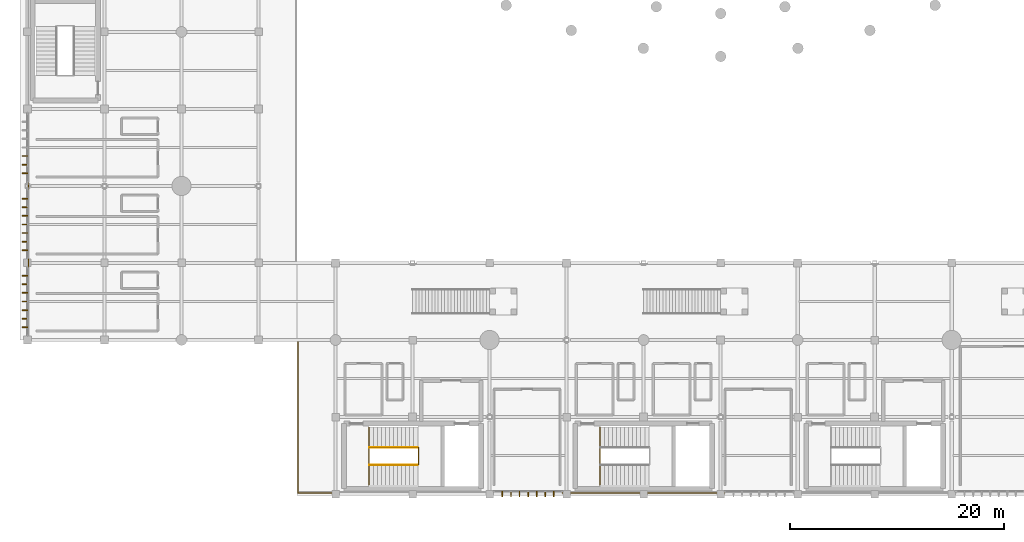
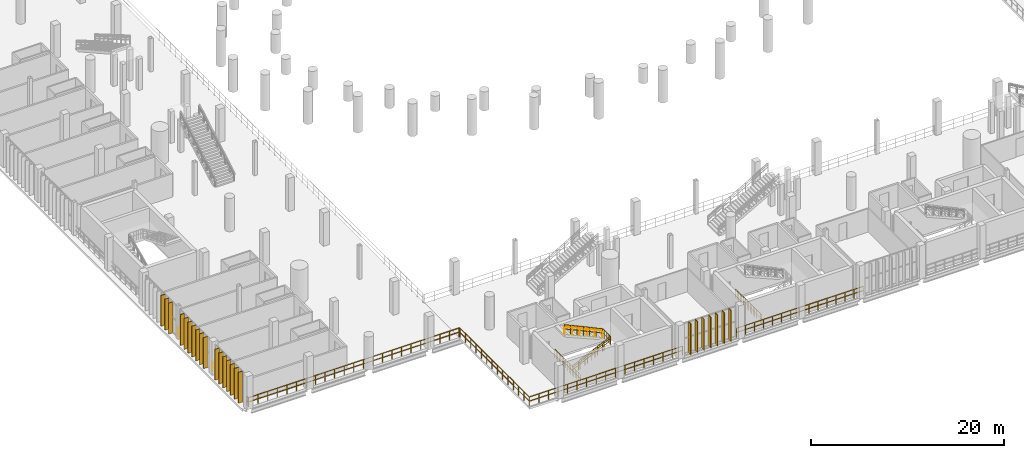
# One storey, part 115 of 130: 24 coverings, 11 railings.
"""IFC4 building model written with IfcOpenShell, lengths in metres."""

from ifc_helpers import new_model, si_unit, direction, frame, origin, origin_2d, place, context, subcontext, project, spatial, rectangle, circle, extrude, material, layer, layer_set, type_object, element, save


model = new_model("IFC4")

# Units and contexts
model_context = context("Model", 3, precision=1e-05, world=origin(), true_north=direction((0.0, 1.0)))
body_context = subcontext(model_context, "Body", "Model", "MODEL_VIEW")
ifc_project = project(units=[si_unit("LENGTHUNIT", "METRE"), si_unit("AREAUNIT", "SQUARE_METRE"), si_unit("VOLUMEUNIT", "CUBIC_METRE"), si_unit("PLANEANGLEUNIT", "RADIAN"), si_unit("MASSUNIT", "GRAM", prefix="KILO")], contexts=[model_context])

# Site, building, storey
site_placement = place(None, origin())
site = spatial("IfcSite", under=ifc_project, at=site_placement, CompositionType="ELEMENT")
building_placement = place(site_placement, origin())
building = spatial("IfcBuilding", under=site, at=building_placement, Name="Qandorah Velis Arena", CompositionType="ELEMENT")
storey_placement = place(building_placement, frame((0.0, 0.0, 9.60009765625)))
storey = spatial("IfcBuildingStorey", under=building, at=storey_placement, Name="L02", CompositionType="ELEMENT", Elevation=9.60009765625)

# Coverings
ifc_material_1 = material(Name="Champagne-bronze anodized aluminium 6063-T6", Category="aluminium")
ifc_layer = layer(ifc_material_1, 0.0849609375)
ifc_layer_set = layer_set([ifc_layer], Name="Champagne-bronze anodized aluminium 6063-T6")
covering_type = type_object("IfcCoveringType", Name="ARC-COV-FIN520", PredefinedType="CLADDING", material=ifc_layer_set)
for number, where, z_axis, x_axis, name in (
    (1, (-0.251953125, 15.60009765625, -0.010009765625), (0.0, 0.0, 1.0), (1.0, 0.0, 0.0), "Vertical champagne-bronze solar fin blade WNG-W-L02-02-001"),
    (2, (-0.251953125, 16.39990234375, -0.010009765625), (0.0, 0.0, 1.0), (1.0, 0.0, 0.0), "Vertical champagne-bronze solar fin blade WNG-W-L02-02-002"),
    (3, (-0.251953125, 17.199951171875, -0.010009765625), (0.0, 0.0, 1.0), (1.0, 0.0, 0.0), "Vertical champagne-bronze solar fin blade WNG-W-L02-02-003"),
    (4, (-0.251953125, 18.0, -0.010009765625), (0.0, 0.0, 1.0), (1.0, 0.0, 0.0), "Vertical champagne-bronze solar fin blade WNG-W-L02-02-004"),
    (5, (-0.251953125, 18.800048828125, -0.010009765625), (0.0, 0.0, 1.0), (1.0, 0.0, 0.0), "Vertical champagne-bronze solar fin blade WNG-W-L02-02-005"),
    (6, (-0.251953125, 19.60009765625, -0.010009765625), (0.0, 0.0, 1.0), (1.0, 0.0, 0.0), "Vertical champagne-bronze solar fin blade WNG-W-L02-02-006"),
    (7, (-0.251953125, 20.39990234375, -0.010009765625), (0.0, 0.0, 1.0), (1.0, 0.0, 0.0), "Vertical champagne-bronze solar fin blade WNG-W-L02-02-007"),
    (8, (-0.251953125, 22.800048828125, -0.010009765625), (0.0, 0.0, 1.0), (1.0, 0.0, 0.0), "Vertical champagne-bronze solar fin blade WNG-W-L02-03-001"),
    (9, (-0.251953125, 23.60009765625, -0.010009765625), (0.0, 0.0, 1.0), (1.0, 0.0, 0.0), "Vertical champagne-bronze solar fin blade WNG-W-L02-03-002"),
    (10, (-0.251953125, 24.39990234375, -0.010009765625), (0.0, 0.0, 1.0), (1.0, 0.0, 0.0), "Vertical champagne-bronze solar fin blade WNG-W-L02-03-003"),
    (11, (-0.251953125, 25.199951171875, -0.010009765625), (0.0, 0.0, 1.0), (1.0, 0.0, 0.0), "Vertical champagne-bronze solar fin blade WNG-W-L02-03-004"),
    (12, (-0.251953125, 26.0, -0.010009765625), (0.0, 0.0, 1.0), (1.0, 0.0, 0.0), "Vertical champagne-bronze solar fin blade WNG-W-L02-03-005"),
    (13, (-0.251953125, 26.800048828125, -0.010009765625), (0.0, 0.0, 1.0), (1.0, 0.0, 0.0), "Vertical champagne-bronze solar fin blade WNG-W-L02-03-006"),
    (14, (-0.251953125, 27.60009765625, -0.010009765625), (0.0, 0.0, 1.0), (1.0, 0.0, 0.0), "Vertical champagne-bronze solar fin blade WNG-W-L02-03-007"),
    (15, (-0.251953125, 30.0, -0.010009765625), (0.0, 0.0, 1.0), (1.0, 0.0, 0.0), "Vertical champagne-bronze solar fin blade WNG-W-L02-04-001"),
    (16, (-0.251953125, 30.800048828125, -0.010009765625), (0.0, 0.0, 1.0), (1.0, 0.0, 0.0), "Vertical champagne-bronze solar fin blade WNG-W-L02-04-002"),
    (17, (-0.251953125, 31.60009765625, -0.010009765625), (0.0, 0.0, 1.0), (1.0, 0.0, 0.0), "Vertical champagne-bronze solar fin blade WNG-W-L02-04-003"),
):
    element("IfcCovering", number, at=place(storey_placement, frame(where, z_axis=z_axis, x_axis=x_axis)), inside=storey, type_object=covering_type, Name=name, PredefinedType="CLADDING", context=body_context, shape_type="SweptSolid", body=[
        extrude(rectangle(XDim=0.52001953125, YDim=0.0849609375, at=origin_2d()), origin(), (0.0, 0.0, 1.0), 3.89990234375),
    ])
for number, where, z_axis, x_axis, name in (
    (18, (44.39990234375, -0.001953125, -0.010009765625), (0.0, 0.0, 1.0), (1.0, 0.0, 0.0), "Vertical champagne-bronze solar fin blade WNG-S-L02-06-001"),
    (19, (45.199951171875, -0.001953125, -0.010009765625), (0.0, 0.0, 1.0), (1.0, 0.0, 0.0), "Vertical champagne-bronze solar fin blade WNG-S-L02-06-002"),
    (20, (46.0, -0.001953125, -0.010009765625), (0.0, 0.0, 1.0), (1.0, 0.0, 0.0), "Vertical champagne-bronze solar fin blade WNG-S-L02-06-003"),
    (21, (46.800048828125, -0.001953125, -0.010009765625), (0.0, 0.0, 1.0), (1.0, 0.0, 0.0), "Vertical champagne-bronze solar fin blade WNG-S-L02-06-004"),
    (22, (47.60009765625, -0.001953125, -0.010009765625), (0.0, 0.0, 1.0), (1.0, 0.0, 0.0), "Vertical champagne-bronze solar fin blade WNG-S-L02-06-005"),
    (23, (48.39990234375, -0.001953125, -0.010009765625), (0.0, 0.0, 1.0), (1.0, 0.0, 0.0), "Vertical champagne-bronze solar fin blade WNG-S-L02-06-006"),
    (24, (49.199951171875, -0.001953125, -0.010009765625), (0.0, 0.0, 1.0), (1.0, 0.0, 0.0), "Vertical champagne-bronze solar fin blade WNG-S-L02-06-007"),
):
    element("IfcCovering", number, at=place(storey_placement, frame(where, z_axis=z_axis, x_axis=x_axis)), inside=storey, type_object=covering_type, Name=name, PredefinedType="CLADDING", context=body_context, shape_type="SweptSolid", body=[
        extrude(rectangle(XDim=0.0849609375, YDim=0.52001953125, at=origin_2d()), origin(), (0.0, 0.0, 1.0), 3.89990234375),
    ])

# Railings
ifc_material_2 = material(Name="Stainless steel 316", Category="steel")
railing_type_1 = type_object("IfcRailingType", Name="ARC-RL-GRD1150", PredefinedType="GUARDRAIL", material=ifc_material_2)
railing_1_placement = place(storey_placement, frame((31.909912109375, 0.860107421875, 0.0)))
element("IfcRailing", 25, at=railing_1_placement, inside=storey, type_object=railing_type_1, Name="Stair ST1 landing well-slot guardrail L02", PredefinedType="GUARDRAIL", context=body_context, shape_type="SweptSolid", body=[
    extrude(circle(Radius=0.02392578125, at=origin_2d()), frame((0.0, 0.0, 1.1259765625), z_axis=(0.0, 1.0, 0.0), x_axis=(-1.0, 0.0, 0.0)), (0.0, 0.0, 1.0), 5.3798828125),
    extrude(circle(Radius=0.02392578125, at=origin_2d()), frame((0.0, 0.0, 0.597900390625), z_axis=(0.0, 1.0, 0.0), x_axis=(-1.0, 0.0, 0.0)), (0.0, 0.0, 1.0), 5.3798828125),
    extrude(circle(Radius=0.02099609375, at=origin_2d()), origin(), (0.0, 0.0, 1.0), 1.101806640625),
    extrude(circle(Radius=0.02099609375, at=origin_2d()), frame((0.0, 0.298828125, 0.0)), (0.0, 0.0, 1.0), 1.101806640625),
    extrude(circle(Radius=0.02099609375, at=origin_2d()), frame((0.0, 0.59765625, 0.0)), (0.0, 0.0, 1.0), 1.101806640625),
    extrude(circle(Radius=0.02099609375, at=origin_2d()), frame((0.0, 0.896728515625, 0.0)), (0.0, 0.0, 1.0), 1.101806640625),
    extrude(circle(Radius=0.02099609375, at=origin_2d()), frame((0.0, 1.195556640625, 0.0)), (0.0, 0.0, 1.0), 1.101806640625),
    extrude(circle(Radius=0.02099609375, at=origin_2d()), frame((0.0, 1.494384765625, 0.0)), (0.0, 0.0, 1.0), 1.101806640625),
    extrude(circle(Radius=0.02099609375, at=origin_2d()), frame((0.0, 1.793212890625, 0.0)), (0.0, 0.0, 1.0), 1.101806640625),
    extrude(circle(Radius=0.02099609375, at=origin_2d()), frame((0.0, 2.09228515625, 0.0)), (0.0, 0.0, 1.0), 1.101806640625),
    extrude(circle(Radius=0.02099609375, at=origin_2d()), frame((0.0, 2.39111328125, 0.0)), (0.0, 0.0, 1.0), 1.101806640625),
    extrude(circle(Radius=0.02099609375, at=origin_2d()), frame((0.0, 2.68994140625, 0.0)), (0.0, 0.0, 1.0), 1.101806640625),
    extrude(circle(Radius=0.02099609375, at=origin_2d()), frame((0.0, 2.98876953125, 0.0)), (0.0, 0.0, 1.0), 1.101806640625),
    extrude(circle(Radius=0.02099609375, at=origin_2d()), frame((0.0, 3.28759765625, 0.0)), (0.0, 0.0, 1.0), 1.101806640625),
    extrude(circle(Radius=0.02099609375, at=origin_2d()), frame((0.0, 3.586669921875, 0.0)), (0.0, 0.0, 1.0), 1.101806640625),
    extrude(circle(Radius=0.02099609375, at=origin_2d()), frame((0.0, 3.885498046875, 0.0)), (0.0, 0.0, 1.0), 1.101806640625),
    extrude(circle(Radius=0.02099609375, at=origin_2d()), frame((0.0, 4.184326171875, 0.0)), (0.0, 0.0, 1.0), 1.101806640625),
    extrude(circle(Radius=0.02099609375, at=origin_2d()), frame((0.0, 4.483154296875, 0.0)), (0.0, 0.0, 1.0), 1.101806640625),
    extrude(circle(Radius=0.02099609375, at=origin_2d()), frame((0.0, 4.7822265625, 0.0)), (0.0, 0.0, 1.0), 1.101806640625),
    extrude(circle(Radius=0.02099609375, at=origin_2d()), frame((0.0, 5.0810546875, 0.0)), (0.0, 0.0, 1.0), 1.101806640625),
    extrude(circle(Radius=0.02099609375, at=origin_2d()), frame((0.0, 5.3798828125, 0.0)), (0.0, 0.0, 1.0), 1.101806640625),
])
railing_2_placement = place(storey_placement, frame((36.5458984375, 2.739990234375, 2.099853515625)))
element("IfcRailing", 26, at=railing_2_placement, inside=storey, type_object=railing_type_1, Name="Stair ST1 well guardrail (L02)", PredefinedType="GUARDRAIL", context=body_context, shape_type="SweptSolid", body=[
    extrude(circle(Radius=0.02392578125, at=origin_2d()), frame((0.0, 0.0, 1.1259765625), z_axis=(0.0, 1.0, 0.0), x_axis=(-1.0, 0.0, 0.0)), (0.0, 0.0, 1.0), 1.6201171875),
    extrude(circle(Radius=0.02392578125, at=origin_2d()), frame((0.0, 0.0, 0.597900390625), z_axis=(0.0, 1.0, 0.0), x_axis=(-1.0, 0.0, 0.0)), (0.0, 0.0, 1.0), 1.6201171875),
    extrude(circle(Radius=0.02099609375, at=origin_2d()), origin(), (0.0, 0.0, 1.0), 1.101806640625),
    extrude(circle(Radius=0.02099609375, at=origin_2d()), frame((0.0, 0.27001953125, 0.0)), (0.0, 0.0, 1.0), 1.101806640625),
    extrude(circle(Radius=0.02099609375, at=origin_2d()), frame((0.0, 0.5400390625, 0.0)), (0.0, 0.0, 1.0), 1.101806640625),
    extrude(circle(Radius=0.02099609375, at=origin_2d()), frame((0.0, 0.81005859375, 0.0)), (0.0, 0.0, 1.0), 1.101806640625),
    extrude(circle(Radius=0.02099609375, at=origin_2d()), frame((0.0, 1.080078125, 0.0)), (0.0, 0.0, 1.0), 1.101806640625),
    extrude(circle(Radius=0.02099609375, at=origin_2d()), frame((0.0, 1.35009765625, 0.0)), (0.0, 0.0, 1.0), 1.101806640625),
    extrude(circle(Radius=0.02099609375, at=origin_2d()), frame((0.0, 1.6201171875, 0.0)), (0.0, 0.0, 1.0), 1.101806640625),
])
railing_3_placement = place(storey_placement, frame((31.949951171875, 2.72998046875, 0.0)))
element("IfcRailing", 27, at=railing_3_placement, inside=storey, type_object=railing_type_1, Name="Stair ST1 inner flight 1 guardrail (L02)", PredefinedType="GUARDRAIL", context=body_context, shape_type="SweptSolid", body=[
    extrude(circle(Radius=0.02392578125, at=origin_2d()), frame((0.0, 0.0, 1.1259765625), z_axis=(0.907482768716, 0.0, 0.420089305367), x_axis=(0.0, 1.0, 0.0)), (0.0, 0.0, 1.0), 4.99853515625),
    extrude(circle(Radius=0.02392578125, at=origin_2d()), frame((0.0, 0.0, 0.597900390625), z_axis=(0.907482768716, 0.0, 0.420089305367), x_axis=(0.0, 1.0, 0.0)), (0.0, 0.0, 1.0), 4.99853515625),
    extrude(circle(Radius=0.02099609375, at=origin_2d()), origin(), (0.0, 0.0, 1.0), 1.101806640625),
    extrude(circle(Radius=0.02099609375, at=origin_2d()), frame((0.756103515625, 0.0, 0.35009765625)), (0.0, 0.0, 1.0), 1.101806640625),
    extrude(circle(Radius=0.02099609375, at=origin_2d()), frame((1.511962890625, 0.0, 0.699951171875)), (0.0, 0.0, 1.0), 1.101806640625),
    extrude(circle(Radius=0.02099609375, at=origin_2d()), frame((2.26806640625, 0.0, 1.0498046875)), (0.0, 0.0, 1.0), 1.101806640625),
    extrude(circle(Radius=0.02099609375, at=origin_2d()), frame((3.024169921875, 0.0, 1.39990234375)), (0.0, 0.0, 1.0), 1.101806640625),
    extrude(circle(Radius=0.02099609375, at=origin_2d()), frame((3.780029296875, 0.0, 1.75)), (0.0, 0.0, 1.0), 1.101806640625),
    extrude(circle(Radius=0.02099609375, at=origin_2d()), frame((4.5361328125, 0.0, 2.099853515625)), (0.0, 0.0, 1.0), 1.101806640625),
])
railing_4_placement = place(storey_placement, frame((36.486083984375, 4.3701171875, 2.099853515625)))
element("IfcRailing", 28, at=railing_4_placement, inside=storey, type_object=railing_type_1, Name="Stair ST1 inner flight 2 guardrail (L02)", PredefinedType="GUARDRAIL", context=body_context, shape_type="SweptSolid", body=[
    extrude(circle(Radius=0.02392578125, at=origin_2d()), frame((0.0, 0.0, 1.1259765625), z_axis=(-0.907464148506, 0.0, 0.420129526666), x_axis=(0.0, -1.0, 0.0)), (0.0, 0.0, 1.0), 4.998779296875),
    extrude(circle(Radius=0.02392578125, at=origin_2d()), frame((0.0, 0.0, 0.597900390625), z_axis=(-0.907464148506, 0.0, 0.420129526666), x_axis=(0.0, -1.0, 0.0)), (0.0, 0.0, 1.0), 4.998779296875),
    extrude(circle(Radius=0.02099609375, at=origin_2d()), origin(), (0.0, 0.0, 1.0), 1.101806640625),
    extrude(circle(Radius=0.02099609375, at=origin_2d()), frame((-0.756103515625, 0.0, 0.35009765625)), (0.0, 0.0, 1.0), 1.101806640625),
    extrude(circle(Radius=0.02099609375, at=origin_2d()), frame((-1.511962890625, 0.0, 0.699951171875)), (0.0, 0.0, 1.0), 1.101806640625),
    extrude(circle(Radius=0.02099609375, at=origin_2d()), frame((-2.26806640625, 0.0, 1.050048828125)), (0.0, 0.0, 1.0), 1.101806640625),
    extrude(circle(Radius=0.02099609375, at=origin_2d()), frame((-3.024169921875, 0.0, 1.400146484375)), (0.0, 0.0, 1.0), 1.101806640625),
    extrude(circle(Radius=0.02099609375, at=origin_2d()), frame((-3.780029296875, 0.0, 1.75)), (0.0, 0.0, 1.0), 1.101806640625),
    extrude(circle(Radius=0.02099609375, at=origin_2d()), frame((-4.5361328125, 0.0, 2.10009765625)), (0.0, 0.0, 1.0), 1.101806640625),
])
railing_5_placement = place(storey_placement, frame((53.510009765625, 0.860107421875, 0.0)))
element("IfcRailing", 29, at=railing_5_placement, inside=storey, type_object=railing_type_1, Name="Stair ST9 landing well-slot guardrail L02", PredefinedType="GUARDRAIL", context=body_context, shape_type="SweptSolid", body=[
    extrude(circle(Radius=0.02392578125, at=origin_2d()), frame((0.0, 0.0, 1.1259765625), z_axis=(0.0, 1.0, 0.0), x_axis=(-1.0, 0.0, 0.0)), (0.0, 0.0, 1.0), 5.3798828125),
    extrude(circle(Radius=0.02392578125, at=origin_2d()), frame((0.0, 0.0, 0.597900390625), z_axis=(0.0, 1.0, 0.0), x_axis=(-1.0, 0.0, 0.0)), (0.0, 0.0, 1.0), 5.3798828125),
    extrude(circle(Radius=0.02099609375, at=origin_2d()), origin(), (0.0, 0.0, 1.0), 1.101806640625),
    extrude(circle(Radius=0.02099609375, at=origin_2d()), frame((0.0, 0.298828125, 0.0)), (0.0, 0.0, 1.0), 1.101806640625),
    extrude(circle(Radius=0.02099609375, at=origin_2d()), frame((0.0, 0.59765625, 0.0)), (0.0, 0.0, 1.0), 1.101806640625),
    extrude(circle(Radius=0.02099609375, at=origin_2d()), frame((0.0, 0.896728515625, 0.0)), (0.0, 0.0, 1.0), 1.101806640625),
    extrude(circle(Radius=0.02099609375, at=origin_2d()), frame((0.0, 1.195556640625, 0.0)), (0.0, 0.0, 1.0), 1.101806640625),
    extrude(circle(Radius=0.02099609375, at=origin_2d()), frame((0.0, 1.494384765625, 0.0)), (0.0, 0.0, 1.0), 1.101806640625),
    extrude(circle(Radius=0.02099609375, at=origin_2d()), frame((0.0, 1.793212890625, 0.0)), (0.0, 0.0, 1.0), 1.101806640625),
    extrude(circle(Radius=0.02099609375, at=origin_2d()), frame((0.0, 2.09228515625, 0.0)), (0.0, 0.0, 1.0), 1.101806640625),
    extrude(circle(Radius=0.02099609375, at=origin_2d()), frame((0.0, 2.39111328125, 0.0)), (0.0, 0.0, 1.0), 1.101806640625),
    extrude(circle(Radius=0.02099609375, at=origin_2d()), frame((0.0, 2.68994140625, 0.0)), (0.0, 0.0, 1.0), 1.101806640625),
    extrude(circle(Radius=0.02099609375, at=origin_2d()), frame((0.0, 2.98876953125, 0.0)), (0.0, 0.0, 1.0), 1.101806640625),
    extrude(circle(Radius=0.02099609375, at=origin_2d()), frame((0.0, 3.28759765625, 0.0)), (0.0, 0.0, 1.0), 1.101806640625),
    extrude(circle(Radius=0.02099609375, at=origin_2d()), frame((0.0, 3.586669921875, 0.0)), (0.0, 0.0, 1.0), 1.101806640625),
    extrude(circle(Radius=0.02099609375, at=origin_2d()), frame((0.0, 3.885498046875, 0.0)), (0.0, 0.0, 1.0), 1.101806640625),
    extrude(circle(Radius=0.02099609375, at=origin_2d()), frame((0.0, 4.184326171875, 0.0)), (0.0, 0.0, 1.0), 1.101806640625),
    extrude(circle(Radius=0.02099609375, at=origin_2d()), frame((0.0, 4.483154296875, 0.0)), (0.0, 0.0, 1.0), 1.101806640625),
    extrude(circle(Radius=0.02099609375, at=origin_2d()), frame((0.0, 4.7822265625, 0.0)), (0.0, 0.0, 1.0), 1.101806640625),
    extrude(circle(Radius=0.02099609375, at=origin_2d()), frame((0.0, 5.0810546875, 0.0)), (0.0, 0.0, 1.0), 1.101806640625),
    extrude(circle(Radius=0.02099609375, at=origin_2d()), frame((0.0, 5.3798828125, 0.0)), (0.0, 0.0, 1.0), 1.101806640625),
])
railing_6_placement = place(storey_placement, frame((65.175048828125, 0.10009765625, 0.0)))
element("IfcRailing", 30, at=railing_6_placement, inside=storey, type_object=railing_type_1, Name="Slab edge safety guardrail L02-131", PredefinedType="GUARDRAIL", context=body_context, shape_type="SweptSolid", body=[
    extrude(circle(Radius=0.02392578125, at=origin_2d()), frame((0.0, 0.0, 1.1259765625), z_axis=(-1.0, 0.0, 0.0), x_axis=(0.0, -1.0, 0.0)), (0.0, 0.0, 1.0), 15.150146484375),
    extrude(circle(Radius=0.02392578125, at=origin_2d()), frame((0.0, 0.0, 0.597900390625), z_axis=(-1.0, 0.0, 0.0), x_axis=(0.0, -1.0, 0.0)), (0.0, 0.0, 1.0), 15.150146484375),
    extrude(circle(Radius=0.02099609375, at=origin_2d()), origin(), (0.0, 0.0, 1.0), 1.101806640625),
    extrude(circle(Radius=0.02099609375, at=origin_2d()), frame((-1.08203125, 0.0, 0.0)), (0.0, 0.0, 1.0), 1.101806640625),
    extrude(circle(Radius=0.02099609375, at=origin_2d()), frame((-2.164306640625, 0.0, 0.0)), (0.0, 0.0, 1.0), 1.101806640625),
    extrude(circle(Radius=0.02099609375, at=origin_2d()), frame((-3.24658203125, 0.0, 0.0)), (0.0, 0.0, 1.0), 1.101806640625),
    extrude(circle(Radius=0.02099609375, at=origin_2d()), frame((-4.32861328125, 0.0, 0.0)), (0.0, 0.0, 1.0), 1.101806640625),
    extrude(circle(Radius=0.02099609375, at=origin_2d()), frame((-5.41064453125, 0.0, 0.0)), (0.0, 0.0, 1.0), 1.101806640625),
    extrude(circle(Radius=0.02099609375, at=origin_2d()), frame((-6.492919921875, 0.0, 0.0)), (0.0, 0.0, 1.0), 1.101806640625),
    extrude(circle(Radius=0.02099609375, at=origin_2d()), frame((-7.5751953125, 0.0, 0.0)), (0.0, 0.0, 1.0), 1.101806640625),
    extrude(circle(Radius=0.02099609375, at=origin_2d()), frame((-8.6572265625, 0.0, 0.0)), (0.0, 0.0, 1.0), 1.101806640625),
    extrude(circle(Radius=0.02099609375, at=origin_2d()), frame((-9.7392578125, 0.0, 0.0)), (0.0, 0.0, 1.0), 1.101806640625),
    extrude(circle(Radius=0.02099609375, at=origin_2d()), frame((-10.821533203125, 0.0, 0.0)), (0.0, 0.0, 1.0), 1.101806640625),
    extrude(circle(Radius=0.02099609375, at=origin_2d()), frame((-11.90380859375, 0.0, 0.0)), (0.0, 0.0, 1.0), 1.101806640625),
    extrude(circle(Radius=0.02099609375, at=origin_2d()), frame((-12.98583984375, 0.0, 0.0)), (0.0, 0.0, 1.0), 1.101806640625),
    extrude(circle(Radius=0.02099609375, at=origin_2d()), frame((-14.06787109375, 0.0, 0.0)), (0.0, 0.0, 1.0), 1.101806640625),
    extrude(circle(Radius=0.02099609375, at=origin_2d()), frame((-15.150146484375, 0.0, 0.0)), (0.0, 0.0, 1.0), 1.101806640625),
])
railing_7_placement = place(storey_placement, frame((43.574951171875, 0.10009765625, 0.0)))
element("IfcRailing", 31, at=railing_7_placement, inside=storey, type_object=railing_type_1, Name="Slab edge safety guardrail L02-132", PredefinedType="GUARDRAIL", context=body_context, shape_type="SweptSolid", body=[
    extrude(circle(Radius=0.02392578125, at=origin_2d()), frame((0.0, 0.0, 1.1259765625), z_axis=(-1.0, 0.0, 0.0), x_axis=(0.0, -1.0, 0.0)), (0.0, 0.0, 1.0), 18.27490234375),
    extrude(circle(Radius=0.02392578125, at=origin_2d()), frame((0.0, 0.0, 0.597900390625), z_axis=(-1.0, 0.0, 0.0), x_axis=(0.0, -1.0, 0.0)), (0.0, 0.0, 1.0), 18.27490234375),
    extrude(circle(Radius=0.02392578125, at=origin_2d()), frame((-18.27490234375, 0.0, 1.1259765625), z_axis=(0.0, 1.0, 0.0), x_axis=(-1.0, 0.0, 0.0)), (0.0, 0.0, 1.0), 14.2998046875),
    extrude(circle(Radius=0.02392578125, at=origin_2d()), frame((-18.27490234375, 0.0, 0.597900390625), z_axis=(0.0, 1.0, 0.0), x_axis=(-1.0, 0.0, 0.0)), (0.0, 0.0, 1.0), 14.2998046875),
    extrude(circle(Radius=0.02392578125, at=origin_2d()), frame((-18.27490234375, 14.2998046875, 1.1259765625), z_axis=(-0.634493378388, 0.772928297309, 0.0), x_axis=(-0.772928297309, -0.634493378388, 0.0)), (0.0, 0.0, 1.0), 0.126953125),
    extrude(circle(Radius=0.02392578125, at=origin_2d()), frame((-18.27490234375, 14.2998046875, 0.597900390625), z_axis=(-0.634493378388, 0.772928297309, 0.0), x_axis=(-0.772928297309, -0.634493378388, 0.0)), (0.0, 0.0, 1.0), 0.126953125),
    extrude(circle(Radius=0.02392578125, at=origin_2d()), frame((-18.35546875, 14.39794921875, 1.1259765625), z_axis=(-0.999999996977, 7.7753695e-05, 0.0), x_axis=(-7.7753695e-05, -0.999999996977, 0.0)), (0.0, 0.0, 1.0), 25.119384765625),
    extrude(circle(Radius=0.02392578125, at=origin_2d()), frame((-18.35546875, 14.39794921875, 0.597900390625), z_axis=(-0.999999996977, 7.7753695e-05, 0.0), x_axis=(-7.7753695e-05, -0.999999996977, 0.0)), (0.0, 0.0, 1.0), 25.119384765625),
    extrude(circle(Radius=0.02392578125, at=origin_2d()), frame((-43.474853515625, 14.39990234375, 1.1259765625), z_axis=(0.0, 1.0, 0.0), x_axis=(-1.0, 0.0, 0.0)), (0.0, 0.0, 1.0), 0.300048828125),
    extrude(circle(Radius=0.02392578125, at=origin_2d()), frame((-43.474853515625, 14.39990234375, 0.597900390625), z_axis=(0.0, 1.0, 0.0), x_axis=(-1.0, 0.0, 0.0)), (0.0, 0.0, 1.0), 0.300048828125),
    extrude(circle(Radius=0.02099609375, at=origin_2d()), origin(), (0.0, 0.0, 1.0), 1.101806640625),
    extrude(circle(Radius=0.02099609375, at=origin_2d()), frame((-1.14208984375, 0.0, 0.0)), (0.0, 0.0, 1.0), 1.101806640625),
    extrude(circle(Radius=0.02099609375, at=origin_2d()), frame((-2.284423828125, 0.0, 0.0)), (0.0, 0.0, 1.0), 1.101806640625),
    extrude(circle(Radius=0.02099609375, at=origin_2d()), frame((-3.426513671875, 0.0, 0.0)), (0.0, 0.0, 1.0), 1.101806640625),
    extrude(circle(Radius=0.02099609375, at=origin_2d()), frame((-4.56884765625, 0.0, 0.0)), (0.0, 0.0, 1.0), 1.101806640625),
    extrude(circle(Radius=0.02099609375, at=origin_2d()), frame((-5.7109375, 0.0, 0.0)), (0.0, 0.0, 1.0), 1.101806640625),
    extrude(circle(Radius=0.02099609375, at=origin_2d()), frame((-6.85302734375, 0.0, 0.0)), (0.0, 0.0, 1.0), 1.101806640625),
    extrude(circle(Radius=0.02099609375, at=origin_2d()), frame((-7.995361328125, 0.0, 0.0)), (0.0, 0.0, 1.0), 1.101806640625),
    extrude(circle(Radius=0.02099609375, at=origin_2d()), frame((-9.137451171875, 0.0, 0.0)), (0.0, 0.0, 1.0), 1.101806640625),
    extrude(circle(Radius=0.02099609375, at=origin_2d()), frame((-10.279541015625, 0.0, 0.0)), (0.0, 0.0, 1.0), 1.101806640625),
    extrude(circle(Radius=0.02099609375, at=origin_2d()), frame((-11.421875, 0.0, 0.0)), (0.0, 0.0, 1.0), 1.101806640625),
    extrude(circle(Radius=0.02099609375, at=origin_2d()), frame((-12.56396484375, 0.0, 0.0)), (0.0, 0.0, 1.0), 1.101806640625),
    extrude(circle(Radius=0.02099609375, at=origin_2d()), frame((-13.7060546875, 0.0, 0.0)), (0.0, 0.0, 1.0), 1.101806640625),
    extrude(circle(Radius=0.02099609375, at=origin_2d()), frame((-14.848388671875, 0.0, 0.0)), (0.0, 0.0, 1.0), 1.101806640625),
    extrude(circle(Radius=0.02099609375, at=origin_2d()), frame((-15.990478515625, 0.0, 0.0)), (0.0, 0.0, 1.0), 1.101806640625),
    extrude(circle(Radius=0.02099609375, at=origin_2d()), frame((-17.1328125, 0.0, 0.0)), (0.0, 0.0, 1.0), 1.101806640625),
    extrude(circle(Radius=0.02099609375, at=origin_2d()), frame((-18.27490234375, 0.0, 0.0)), (0.0, 0.0, 1.0), 1.101806640625),
    extrude(circle(Radius=0.02099609375, at=origin_2d()), frame((-18.27490234375, 1.10009765625, 0.0)), (0.0, 0.0, 1.0), 1.101806640625),
    extrude(circle(Radius=0.02099609375, at=origin_2d()), frame((-18.27490234375, 2.199951171875, 0.0)), (0.0, 0.0, 1.0), 1.101806640625),
    extrude(circle(Radius=0.02099609375, at=origin_2d()), frame((-18.27490234375, 3.300048828125, 0.0)), (0.0, 0.0, 1.0), 1.101806640625),
    extrude(circle(Radius=0.02099609375, at=origin_2d()), frame((-18.27490234375, 4.39990234375, 0.0)), (0.0, 0.0, 1.0), 1.101806640625),
    extrude(circle(Radius=0.02099609375, at=origin_2d()), frame((-18.27490234375, 5.5, 0.0)), (0.0, 0.0, 1.0), 1.101806640625),
    extrude(circle(Radius=0.02099609375, at=origin_2d()), frame((-18.27490234375, 6.599853515625, 0.0)), (0.0, 0.0, 1.0), 1.101806640625),
    extrude(circle(Radius=0.02099609375, at=origin_2d()), frame((-18.27490234375, 7.699951171875, 0.0)), (0.0, 0.0, 1.0), 1.101806640625),
    extrude(circle(Radius=0.02099609375, at=origin_2d()), frame((-18.27490234375, 8.7998046875, 0.0)), (0.0, 0.0, 1.0), 1.101806640625),
    extrude(circle(Radius=0.02099609375, at=origin_2d()), frame((-18.27490234375, 9.89990234375, 0.0)), (0.0, 0.0, 1.0), 1.101806640625),
    extrude(circle(Radius=0.02099609375, at=origin_2d()), frame((-18.27490234375, 10.999755859375, 0.0)), (0.0, 0.0, 1.0), 1.101806640625),
    extrude(circle(Radius=0.02099609375, at=origin_2d()), frame((-18.27490234375, 12.099853515625, 0.0)), (0.0, 0.0, 1.0), 1.101806640625),
    extrude(circle(Radius=0.02099609375, at=origin_2d()), frame((-18.27490234375, 13.19970703125, 0.0)), (0.0, 0.0, 1.0), 1.101806640625),
    extrude(circle(Radius=0.02099609375, at=origin_2d()), frame((-18.27490234375, 14.2998046875, 0.0)), (0.0, 0.0, 1.0), 1.101806640625),
    extrude(circle(Radius=0.02099609375, at=origin_2d()), frame((-18.35546875, 14.39794921875, 0.0)), (0.0, 0.0, 1.0), 1.101806640625),
    extrude(circle(Radius=0.02099609375, at=origin_2d()), frame((-19.497314453125, 14.39794921875, 0.0)), (0.0, 0.0, 1.0), 1.101806640625),
    extrude(circle(Radius=0.02099609375, at=origin_2d()), frame((-20.63916015625, 14.398193359375, 0.0)), (0.0, 0.0, 1.0), 1.101806640625),
    extrude(circle(Radius=0.02099609375, at=origin_2d()), frame((-21.78076171875, 14.398193359375, 0.0)), (0.0, 0.0, 1.0), 1.101806640625),
    extrude(circle(Radius=0.02099609375, at=origin_2d()), frame((-22.922607421875, 14.398193359375, 0.0)), (0.0, 0.0, 1.0), 1.101806640625),
    extrude(circle(Radius=0.02099609375, at=origin_2d()), frame((-24.064453125, 14.3984375, 0.0)), (0.0, 0.0, 1.0), 1.101806640625),
    extrude(circle(Radius=0.02099609375, at=origin_2d()), frame((-25.206298828125, 14.3984375, 0.0)), (0.0, 0.0, 1.0), 1.101806640625),
    extrude(circle(Radius=0.02099609375, at=origin_2d()), frame((-26.347900390625, 14.398681640625, 0.0)), (0.0, 0.0, 1.0), 1.101806640625),
    extrude(circle(Radius=0.02099609375, at=origin_2d()), frame((-27.48974609375, 14.398681640625, 0.0)), (0.0, 0.0, 1.0), 1.101806640625),
    extrude(circle(Radius=0.02099609375, at=origin_2d()), frame((-28.631591796875, 14.398681640625, 0.0)), (0.0, 0.0, 1.0), 1.101806640625),
    extrude(circle(Radius=0.02099609375, at=origin_2d()), frame((-29.7734375, 14.39892578125, 0.0)), (0.0, 0.0, 1.0), 1.101806640625),
    extrude(circle(Radius=0.02099609375, at=origin_2d()), frame((-30.9150390625, 14.39892578125, 0.0)), (0.0, 0.0, 1.0), 1.101806640625),
    extrude(circle(Radius=0.02099609375, at=origin_2d()), frame((-32.056884765625, 14.39892578125, 0.0)), (0.0, 0.0, 1.0), 1.101806640625),
    extrude(circle(Radius=0.02099609375, at=origin_2d()), frame((-33.19873046875, 14.399169921875, 0.0)), (0.0, 0.0, 1.0), 1.101806640625),
    extrude(circle(Radius=0.02099609375, at=origin_2d()), frame((-34.340576171875, 14.399169921875, 0.0)), (0.0, 0.0, 1.0), 1.101806640625),
    extrude(circle(Radius=0.02099609375, at=origin_2d()), frame((-35.482421875, 14.399169921875, 0.0)), (0.0, 0.0, 1.0), 1.101806640625),
    extrude(circle(Radius=0.02099609375, at=origin_2d()), frame((-36.6240234375, 14.3994140625, 0.0)), (0.0, 0.0, 1.0), 1.101806640625),
    extrude(circle(Radius=0.02099609375, at=origin_2d()), frame((-37.765869140625, 14.3994140625, 0.0)), (0.0, 0.0, 1.0), 1.101806640625),
    extrude(circle(Radius=0.02099609375, at=origin_2d()), frame((-38.90771484375, 14.399658203125, 0.0)), (0.0, 0.0, 1.0), 1.101806640625),
    extrude(circle(Radius=0.02099609375, at=origin_2d()), frame((-40.049560546875, 14.399658203125, 0.0)), (0.0, 0.0, 1.0), 1.101806640625),
    extrude(circle(Radius=0.02099609375, at=origin_2d()), frame((-41.191162109375, 14.399658203125, 0.0)), (0.0, 0.0, 1.0), 1.101806640625),
    extrude(circle(Radius=0.02099609375, at=origin_2d()), frame((-42.3330078125, 14.39990234375, 0.0)), (0.0, 0.0, 1.0), 1.101806640625),
    extrude(circle(Radius=0.02099609375, at=origin_2d()), frame((-43.474853515625, 14.39990234375, 0.0)), (0.0, 0.0, 1.0), 1.101806640625),
    extrude(circle(Radius=0.02099609375, at=origin_2d()), frame((-43.474853515625, 14.699951171875, 0.0)), (0.0, 0.0, 1.0), 1.101806640625),
])
railing_8_placement = place(storey_placement, frame((0.10009765625, 21.22509765625, 0.0)))
element("IfcRailing", 32, at=railing_8_placement, inside=storey, type_object=railing_type_1, Name="Slab edge safety guardrail L02-133", PredefinedType="GUARDRAIL", context=body_context, shape_type="SweptSolid", body=[
    extrude(circle(Radius=0.02392578125, at=origin_2d()), frame((0.0, 0.0, 1.1259765625), z_axis=(0.0, 1.0, 0.0), x_axis=(-1.0, 0.0, 0.0)), (0.0, 0.0, 1.0), 0.75),
    extrude(circle(Radius=0.02392578125, at=origin_2d()), frame((0.0, 0.0, 0.597900390625), z_axis=(0.0, 1.0, 0.0), x_axis=(-1.0, 0.0, 0.0)), (0.0, 0.0, 1.0), 0.75),
    extrude(circle(Radius=0.02099609375, at=origin_2d()), origin(), (0.0, 0.0, 1.0), 1.101806640625),
    extrude(circle(Radius=0.02099609375, at=origin_2d()), frame((0.0, 0.75, 0.0)), (0.0, 0.0, 1.0), 1.101806640625),
])
railing_9_placement = place(storey_placement, frame((0.10009765625, 28.5, 0.0)))
element("IfcRailing", 33, at=railing_9_placement, inside=storey, type_object=railing_type_1, Name="Slab edge safety guardrail L02-134", PredefinedType="GUARDRAIL", context=body_context, shape_type="SweptSolid", body=[
    extrude(circle(Radius=0.02392578125, at=origin_2d()), frame((0.0, 0.0, 1.1259765625), z_axis=(0.0, 1.0, 0.0), x_axis=(-1.0, 0.0, 0.0)), (0.0, 0.0, 1.0), 0.60009765625),
    extrude(circle(Radius=0.02392578125, at=origin_2d()), frame((0.0, 0.0, 0.597900390625), z_axis=(0.0, 1.0, 0.0), x_axis=(-1.0, 0.0, 0.0)), (0.0, 0.0, 1.0), 0.60009765625),
    extrude(circle(Radius=0.02099609375, at=origin_2d()), origin(), (0.0, 0.0, 1.0), 1.101806640625),
    extrude(circle(Radius=0.02099609375, at=origin_2d()), frame((0.0, 0.60009765625, 0.0)), (0.0, 0.0, 1.0), 1.101806640625),
])
railing_type_2 = type_object("IfcRailingType", Name="ARC-RL-HND920", PredefinedType="HANDRAIL", material=ifc_material_2)
railing_10_placement = place(storey_placement, frame((31.949951171875, 2.72998046875, 0.0)))
element("IfcRailing", 34, at=railing_10_placement, inside=storey, type_object=railing_type_2, Name="Stair ST1 inner handrail 1 (L02)", PredefinedType="HANDRAIL", context=body_context, shape_type="SweptSolid", body=[
    extrude(circle(Radius=0.02392578125, at=origin_2d()), frame((0.0, 0.0, 0.89599609375), z_axis=(0.907482768716, 0.0, 0.420089305367), x_axis=(0.0, 1.0, 0.0)), (0.0, 0.0, 1.0), 4.99853515625),
    extrude(circle(Radius=0.02099609375, at=origin_2d()), origin(), (0.0, 0.0, 1.0), 0.871826171875),
    extrude(circle(Radius=0.02099609375, at=origin_2d()), frame((0.9072265625, 0.0, 0.419921875)), (0.0, 0.0, 1.0), 0.871826171875),
    extrude(circle(Radius=0.02099609375, at=origin_2d()), frame((1.814453125, 0.0, 0.83984375)), (0.0, 0.0, 1.0), 0.871826171875),
    extrude(circle(Radius=0.02099609375, at=origin_2d()), frame((2.7216796875, 0.0, 1.260009765625)), (0.0, 0.0, 1.0), 0.871826171875),
    extrude(circle(Radius=0.02099609375, at=origin_2d()), frame((3.62890625, 0.0, 1.679931640625)), (0.0, 0.0, 1.0), 0.871826171875),
    extrude(circle(Radius=0.02099609375, at=origin_2d()), frame((4.5361328125, 0.0, 2.099853515625)), (0.0, 0.0, 1.0), 0.871826171875),
])
railing_11_placement = place(storey_placement, frame((36.486083984375, 4.3701171875, 2.099853515625)))
element("IfcRailing", 35, at=railing_11_placement, inside=storey, type_object=railing_type_2, Name="Stair ST1 inner handrail 2 (L02)", PredefinedType="HANDRAIL", context=body_context, shape_type="SweptSolid", body=[
    extrude(circle(Radius=0.02392578125, at=origin_2d()), frame((0.0, 0.0, 0.89599609375), z_axis=(-0.907464148506, 0.0, 0.420129526666), x_axis=(0.0, -1.0, 0.0)), (0.0, 0.0, 1.0), 4.998779296875),
    extrude(circle(Radius=0.02099609375, at=origin_2d()), origin(), (0.0, 0.0, 1.0), 0.871826171875),
    extrude(circle(Radius=0.02099609375, at=origin_2d()), frame((-0.9072265625, 0.0, 0.419921875)), (0.0, 0.0, 1.0), 0.871826171875),
    extrude(circle(Radius=0.02099609375, at=origin_2d()), frame((-1.814453125, 0.0, 0.840087890625)), (0.0, 0.0, 1.0), 0.871826171875),
    extrude(circle(Radius=0.02099609375, at=origin_2d()), frame((-2.7216796875, 0.0, 1.260009765625)), (0.0, 0.0, 1.0), 0.871826171875),
    extrude(circle(Radius=0.02099609375, at=origin_2d()), frame((-3.62890625, 0.0, 1.68017578125)), (0.0, 0.0, 1.0), 0.871826171875),
    extrude(circle(Radius=0.02099609375, at=origin_2d()), frame((-4.5361328125, 0.0, 2.10009765625)), (0.0, 0.0, 1.0), 0.871826171875),
])

save(model, "model.ifc")
